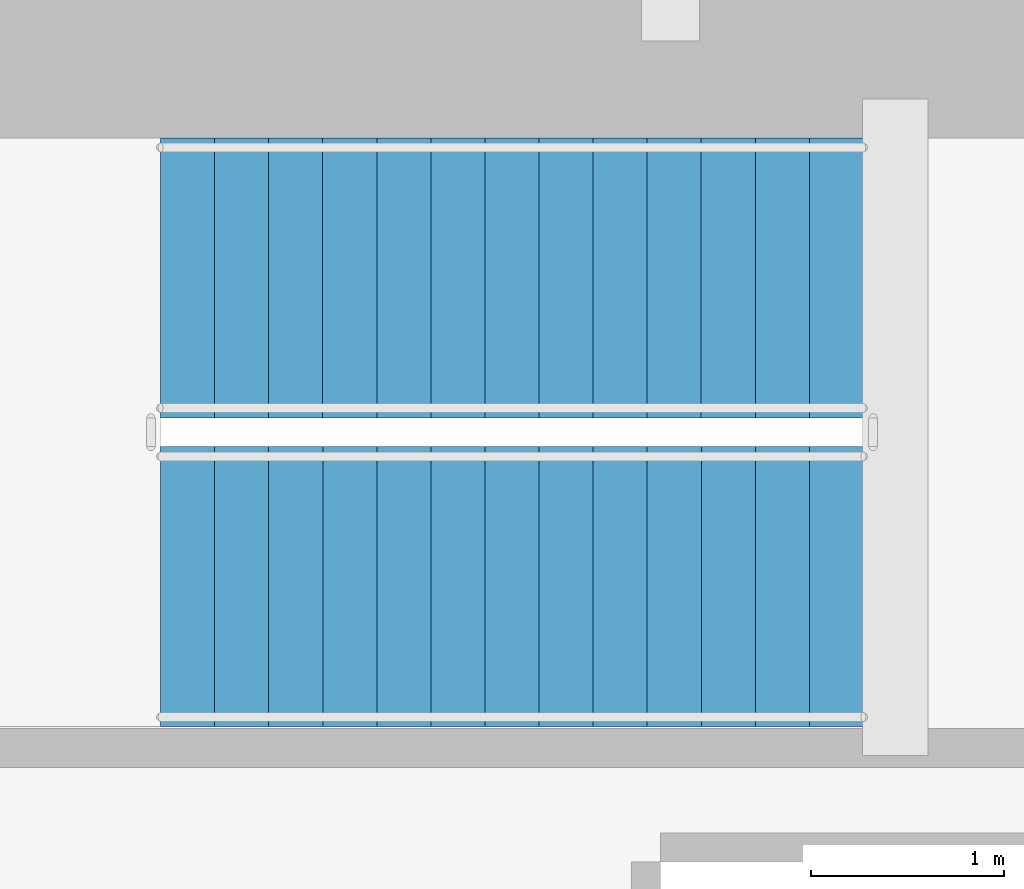
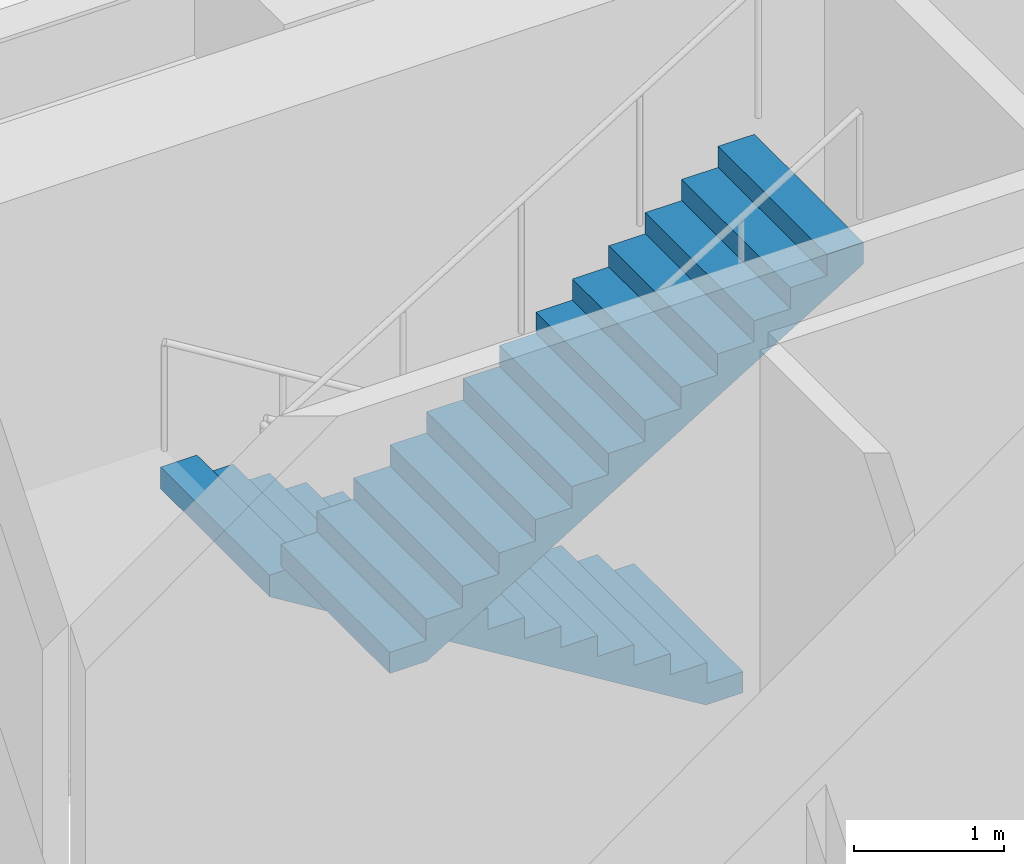
# One storey, part 11 of 13: 2 stair flights, 1 element without a shape of its own.
"""IFC4 building model written with IfcOpenShell, lengths in metres."""

from ifc_helpers import new_model, si_unit, direction, frame, origin, place, context, subcontext, project, spatial, polyline, outline, extrude, material, type_object, element, aggregate, save


model = new_model("IFC4")

# Units and contexts
model_context = context("Model", 3, precision=1e-05, world=origin(), true_north=direction((0.0, 1.0)))
body_context = subcontext(model_context, "Body", "Model", "MODEL_VIEW")
ifc_project = project(units=[si_unit("LENGTHUNIT", "METRE"), si_unit("AREAUNIT", "SQUARE_METRE"), si_unit("VOLUMEUNIT", "CUBIC_METRE"), si_unit("PLANEANGLEUNIT", "RADIAN"), si_unit("MASSUNIT", "GRAM", prefix="KILO")], contexts=[model_context])

# Site, building, storey
site_placement = place(None, origin())
site = spatial("IfcSite", under=ifc_project, at=site_placement, CompositionType="ELEMENT")
building_placement = place(site_placement, origin())
building = spatial("IfcBuilding", under=site, at=building_placement, Name="Kinhvarn Gate Tower", CompositionType="ELEMENT")
storey_placement = place(building_placement, frame((0.0, 0.0, 10.800048828125)))
storey = spatial("IfcBuildingStorey", under=building, at=storey_placement, Name="L02", CompositionType="ELEMENT", Elevation=10.800048828125)

# Stair, stair flights
ifc_material = material(Name="Concrete C40/50", Category="concrete")
stair_type = type_object("IfcStairType", Name="STR-DLG-171", PredefinedType="HALF_TURN_STAIR", material=ifc_material)
stair_placement = place(storey_placement, origin())
stair = element("IfcStair", 1, at=stair_placement, inside=storey, type_object=stair_type, Name="L02 Core Smokeproof Exit Stair ST2", PredefinedType="HALF_TURN_STAIR")
stair_flight_type = type_object("IfcStairFlightType", Name="STF-DLG-171", PredefinedType="STRAIGHT", material=ifc_material)
stair_flight_1_placement = place(storey_placement, frame((12.0, 34.97509765625, 0.0), z_axis=(0.0, 0.0, 1.0), x_axis=(-1.0, 0.0, 0.0)))
stair_flight_1 = element("IfcStairFlight", 2, at=stair_flight_1_placement, type_object=stair_flight_type, Name="ST2 flight 1", NumberOfRisers=14, NumberOfTreads=13, PredefinedType="STRAIGHT", RiserHeight=0.171428571, TreadLength=0.28, context=body_context, shape_type="SweptSolid", body=[
    extrude(outline(polyline([(0.0, 0.0), (0.0, 0.17138671875), (0.280029296875, 0.17138671875), (0.280029296875, 0.3427734375), (0.56005859375, 0.3427734375), (0.56005859375, 0.514404296875), (0.840087890625, 0.514404296875), (0.840087890625, 0.685791015625), (1.1201171875, 0.685791015625), (1.1201171875, 0.857177734375), (1.39990234375, 0.857177734375), (1.39990234375, 1.028564453125), (1.679931640625, 1.028564453125), (1.679931640625, 1.199951171875), (1.9599609375, 1.199951171875), (1.9599609375, 1.371337890625), (2.239990234375, 1.371337890625), (2.239990234375, 1.54296875), (2.52001953125, 1.54296875), (2.52001953125, 1.71435546875), (2.800048828125, 1.71435546875), (2.800048828125, 1.8857421875), (3.080078125, 1.8857421875), (3.080078125, 2.05712890625), (3.360107421875, 2.05712890625), (3.360107421875, 2.228515625), (3.639892578125, 2.228515625), (3.639892578125, 2.39990234375), (3.639892578125, 2.052734375), (0.287109375, 0.0), (0.0, 0.0)])), frame((0.0, 0.72509765625, 0.0), z_axis=(0.0, -1.0, 0.0), x_axis=(1.0, 0.0, 0.0)), (0.0, 0.0, 1.0), 1.449951171875),
])
stair_flight_2_placement = place(storey_placement, frame((8.360107421875, 33.375, 2.39990234375), z_axis=(0.0, 0.0, 1.0), x_axis=(1.0, 0.0, 0.0)))
stair_flight_2 = element("IfcStairFlight", 3, at=stair_flight_2_placement, type_object=stair_flight_type, Name="ST2 flight 2", NumberOfRisers=14, NumberOfTreads=13, PredefinedType="STRAIGHT", RiserHeight=0.171428571, TreadLength=0.28, context=body_context, shape_type="SweptSolid", body=[
    extrude(outline(polyline([(0.0, 0.0), (0.0, 0.17138671875), (0.280029296875, 0.17138671875), (0.280029296875, 0.3427734375), (0.56005859375, 0.3427734375), (0.56005859375, 0.514404296875), (0.840087890625, 0.514404296875), (0.840087890625, 0.685791015625), (1.1201171875, 0.685791015625), (1.1201171875, 0.857177734375), (1.39990234375, 0.857177734375), (1.39990234375, 1.028564453125), (1.679931640625, 1.028564453125), (1.679931640625, 1.199951171875), (1.9599609375, 1.199951171875), (1.9599609375, 1.371337890625), (2.239990234375, 1.371337890625), (2.239990234375, 1.54296875), (2.52001953125, 1.54296875), (2.52001953125, 1.71435546875), (2.800048828125, 1.71435546875), (2.800048828125, 1.8857421875), (3.080078125, 1.8857421875), (3.080078125, 2.05712890625), (3.360107421875, 2.05712890625), (3.360107421875, 2.228515625), (3.639892578125, 2.228515625), (3.639892578125, 2.39990234375), (3.639892578125, 2.052734375), (0.287109375, 0.0), (0.0, 0.0)])), frame((0.0, 0.72509765625, 0.0), z_axis=(0.0, -1.0, 0.0), x_axis=(1.0, 0.0, 0.0)), (0.0, 0.0, 1.0), 1.449951171875),
])
aggregate(stair, [stair_flight_1, stair_flight_2])

save(model, "model.ifc")
